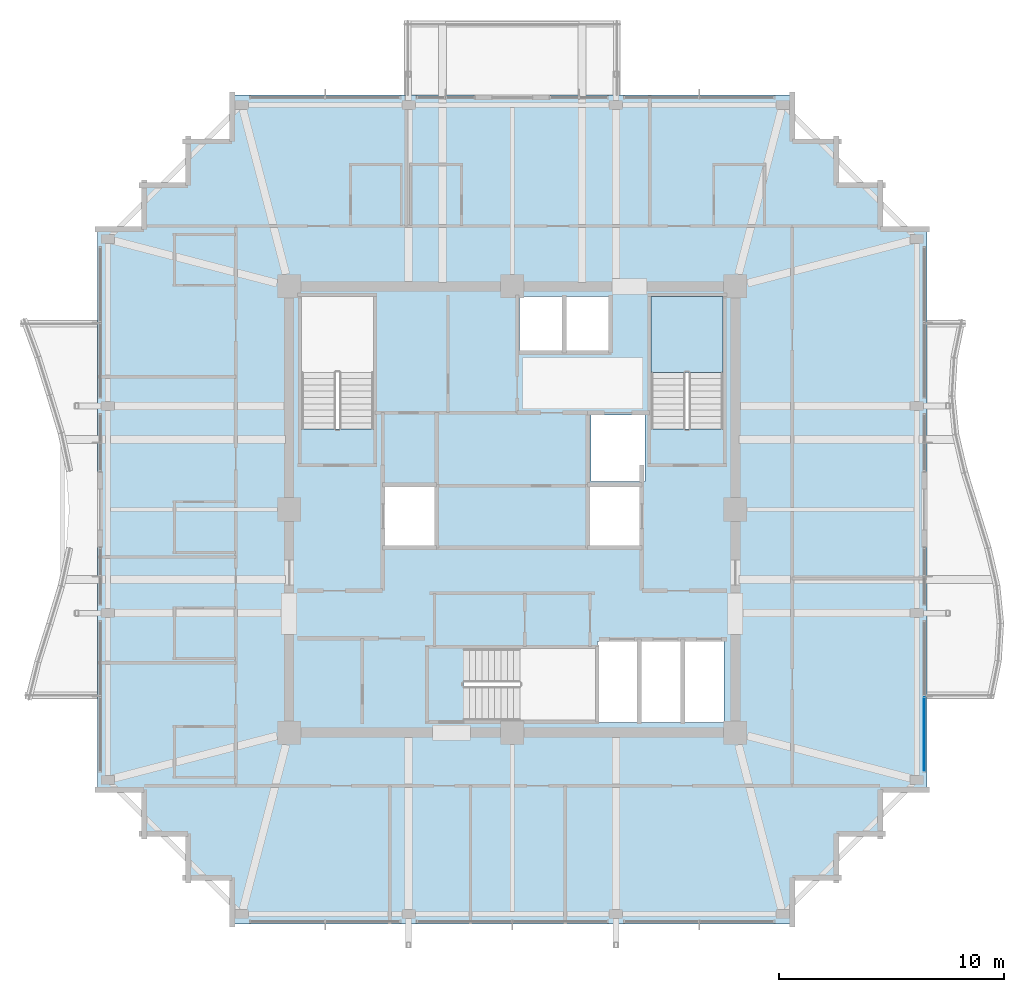
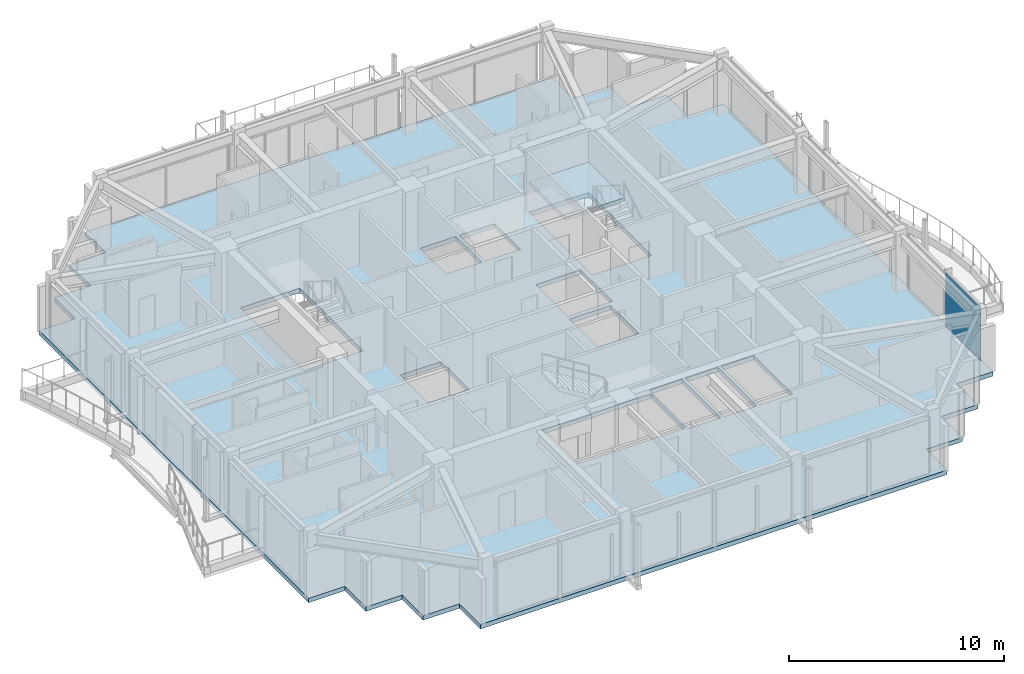
# One storey, part 23 of 31: 2 slabs, 1 plate, 2 elements without a shape of their own.
"""IFC4 building model written with IfcOpenShell, lengths in metres."""

from ifc_helpers import new_model, si_unit, direction, frame, origin, origin_2d, place, context, subcontext, project, spatial, polyline, rectangle, outline, extrude, material, layer, layer_set, type_object, element, aggregate, save


model = new_model("IFC4")

# Units and contexts
model_context = context("Model", 3, precision=1e-05, world=origin(), true_north=direction((0.0, 1.0)))
body_context = subcontext(model_context, "Body", "Model", "MODEL_VIEW")
ifc_project = project(units=[si_unit("LENGTHUNIT", "METRE"), si_unit("AREAUNIT", "SQUARE_METRE"), si_unit("VOLUMEUNIT", "CUBIC_METRE"), si_unit("PLANEANGLEUNIT", "RADIAN"), si_unit("MASSUNIT", "GRAM", prefix="KILO")], contexts=[model_context])

# Site, building, storey
site_placement = place(None, origin())
site = spatial("IfcSite", under=ifc_project, at=site_placement, CompositionType="ELEMENT")
building_placement = place(site_placement, origin())
building = spatial("IfcBuilding", under=site, at=building_placement, Name="Kolvaren Belvedere", CompositionType="ELEMENT")
storey_placement = place(building_placement, frame((0.0, 0.0, 251.39990234375)))
storey = spatial("IfcBuildingStorey", under=building, at=storey_placement, Name="L73", CompositionType="ELEMENT", Elevation=251.39990234375)

# Curtain wall, plate
ifc_material_1 = material(Name="Anodised pale-metal aluminium AA 6063-T6", Category="aluminium")
curtain_wall_type = type_object("IfcCurtainWallType", Name="CW-Z5-HIGH", PredefinedType="NOTDEFINED", material=ifc_material_1)
curtain_wall_placement = place(storey_placement, origin())
curtain_wall = element("IfcCurtainWall", 1, at=curtain_wall_placement, inside=storey, type_object=curtain_wall_type, Name="L73 Unitised Curtain Wall FCW-L73-E2-B2", PredefinedType="NOTDEFINED")
ifc_material_2 = material(Name="Low-iron triple insulated glass", Category="glass")
ifc_layer_1 = layer(ifc_material_2, 0.028076171875)
ifc_layer_set_1 = layer_set([ifc_layer_1], Name="Low-iron triple insulated glass")
plate_type = type_object("IfcPlateType", Name="CW-PNL-VIS28", PredefinedType="CURTAIN_PANEL", material=ifc_layer_set_1)
plate_placement = place(storey_placement, frame((18.280029296875, -9.972412109375, 0.080078125), z_axis=(0.0, 0.0, 1.0), x_axis=(0.0, -1.0, 0.0)))
plate = element("IfcPlate", 2, at=plate_placement, type_object=plate_type, Name="FCW-L73-E2-B2 Vision Glazing Panel 2", PredefinedType="CURTAIN_PANEL", context=body_context, shape_type="SweptSolid", body=[
    extrude(rectangle(XDim=3.264892578125, YDim=0.028076171875, at=origin_2d()), origin(), (0.0, 0.0, 1.0), 3.090087890625),
])
aggregate(curtain_wall, [plate])

# Slab
ifc_material_3 = material(Name="Concrete C50/60", Category="concrete")
ifc_layer_2 = layer(ifc_material_3, 0.25)
ifc_layer_set_2 = layer_set([ifc_layer_2], Name="Concrete C50/60")
slab_type_1 = type_object("IfcSlabType", Name="SL-FLR-250", PredefinedType="FLOOR", material=ifc_layer_set_2)
slab_1_placement = place(storey_placement, frame((0.0, 0.0, -0.25)))
element("IfcSlab", 3, at=slab_1_placement, inside=storey, type_object=slab_type_1, Name="L73 Primary Structural Slab", PredefinedType="FLOOR", context=body_context, shape_type="SweptSolid", body=[
    extrude(outline(polyline([(-12.550048828125, -18.39990234375), (12.550048828125, -18.39990234375), (12.550048828125, -16.449951171875), (14.5, -16.449951171875), (14.5, -14.5), (16.449951171875, -14.5), (16.449951171875, -12.550048828125), (18.39990234375, -12.550048828125), (18.39990234375, 12.550048828125), (16.449951171875, 12.550048828125), (16.449951171875, 14.5), (14.5, 14.5), (14.5, 16.449951171875), (12.550048828125, 16.449951171875), (12.550048828125, 18.39990234375), (-12.550048828125, 18.39990234375), (-12.550048828125, 16.449951171875), (-14.5, 16.449951171875), (-14.5, 14.5), (-16.449951171875, 14.5), (-16.449951171875, 12.550048828125), (-18.39990234375, 12.550048828125), (-18.39990234375, -12.550048828125), (-16.449951171875, -12.550048828125), (-16.449951171875, -14.5), (-14.5, -14.5), (-14.5, -16.449951171875), (-12.550048828125, -16.449951171875), (-12.550048828125, -18.39990234375)]), holes=[polyline([(-9.35009765625, 3.580078125), (-6.159912109375, 3.580078125), (-6.159912109375, 9.449951171875), (-9.35009765625, 9.449951171875), (-9.35009765625, 3.580078125)]), polyline([(6.159912109375, 3.580078125), (9.35009765625, 3.580078125), (9.35009765625, 9.449951171875), (6.159912109375, 9.449951171875), (6.159912109375, 3.580078125)]), polyline([(-2.169921875, -9.35009765625), (3.699951171875, -9.35009765625), (3.699951171875, -6.159912109375), (-2.169921875, -6.159912109375), (-2.169921875, -9.35009765625)]), polyline([(-5.64990234375, -1.60009765625), (-3.449951171875, -1.60009765625), (-3.449951171875, 1.0), (-5.64990234375, 1.0), (-5.64990234375, -1.60009765625)]), polyline([(3.5, 1.25), (5.89990234375, 1.25), (5.89990234375, 4.199951171875), (3.5, 4.199951171875), (3.5, 1.25)]), polyline([(3.449951171875, -1.60009765625), (5.64990234375, -1.60009765625), (5.64990234375, 1.0), (3.449951171875, 1.0), (3.449951171875, -1.60009765625)]), polyline([(3.7900390625, -9.449951171875), (5.5400390625, -9.449951171875), (5.5400390625, -5.85009765625), (3.7900390625, -5.85009765625), (3.7900390625, -9.449951171875)]), polyline([(5.719970703125, -9.449951171875), (7.469970703125, -9.449951171875), (7.469970703125, -5.85009765625), (5.719970703125, -5.85009765625), (5.719970703125, -9.449951171875)]), polyline([(7.64990234375, -9.449951171875), (9.39990234375, -9.449951171875), (9.39990234375, -5.85009765625), (7.64990234375, -5.85009765625), (7.64990234375, -9.449951171875)]), polyline([(0.320068359375, 7.050048828125), (2.219970703125, 7.050048828125), (2.219970703125, 9.449951171875), (0.320068359375, 9.449951171875), (0.320068359375, 7.050048828125)]), polyline([(2.39990234375, 7.050048828125), (4.300048828125, 7.050048828125), (4.300048828125, 9.449951171875), (2.39990234375, 9.449951171875), (2.39990234375, 7.050048828125)])]), origin(), (0.0, 0.0, 1.0), 0.25),
])

# Stair, slab
ifc_material_4 = material(Name="Concrete C50/60", Category="concrete")
stair_type = type_object("IfcStairType", Name="ST-CORE-1520", PredefinedType="HALF_TURN_STAIR", material=ifc_material_4)
stair_placement = place(storey_placement, origin())
stair = element("IfcStair", 4, at=stair_placement, inside=storey, type_object=stair_type, Name="L73 Protected Exit Stair ST-2", PredefinedType="HALF_TURN_STAIR")
ifc_material_5 = material(Name="Concrete C50/60", Category="concrete")
ifc_layer_3 = layer(ifc_material_5, 0.260009765625)
ifc_layer_set_3 = layer_set([ifc_layer_3], Name="Concrete C50/60")
slab_type_2 = type_object("IfcSlabType", Name="SL-LAND-260", PredefinedType="LANDING", material=ifc_layer_set_3)
slab_2_placement = place(storey_placement, frame((0.0, 0.0, 1.550048828125)))
slab_2 = element("IfcSlab", 5, at=slab_2_placement, type_object=slab_type_2, Name="ST-2 landing 1", PredefinedType="LANDING", context=body_context, shape_type="SweptSolid", body=[
    extrude(outline(polyline([(9.35009765625, 6.090087890625), (9.35009765625, 9.449951171875), (6.159912109375, 9.449951171875), (6.159912109375, 6.090087890625), (9.35009765625, 6.090087890625)])), origin(), (0.0, 0.0, 1.0), 0.199951171875),
])
aggregate(stair, [slab_2])

save(model, "model.ifc")
